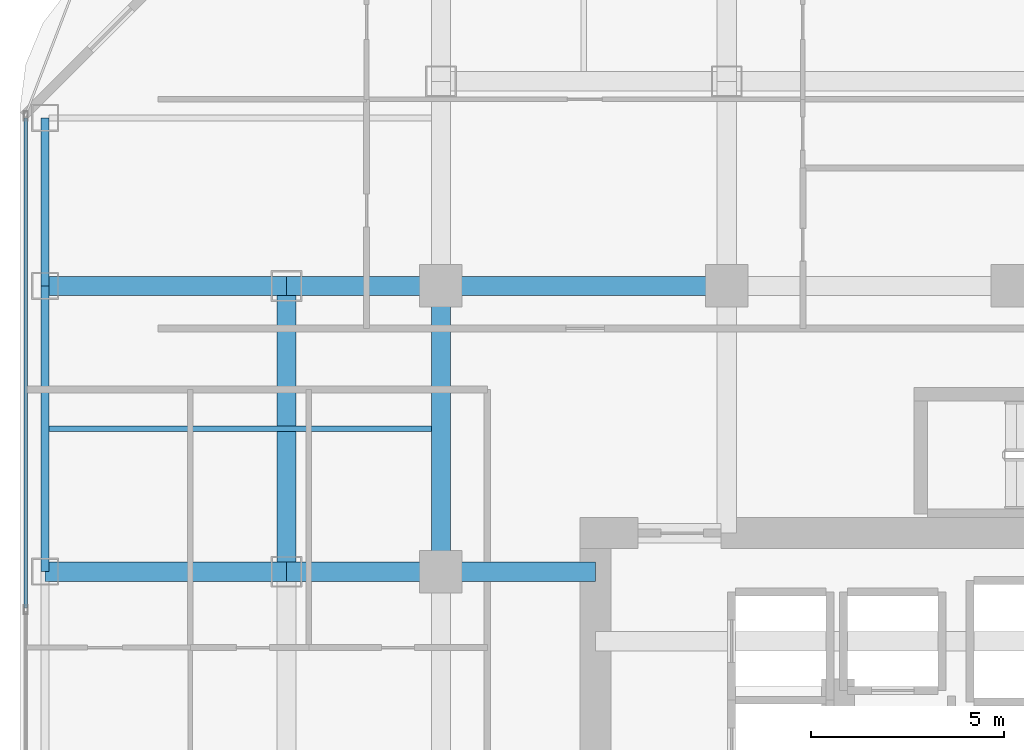
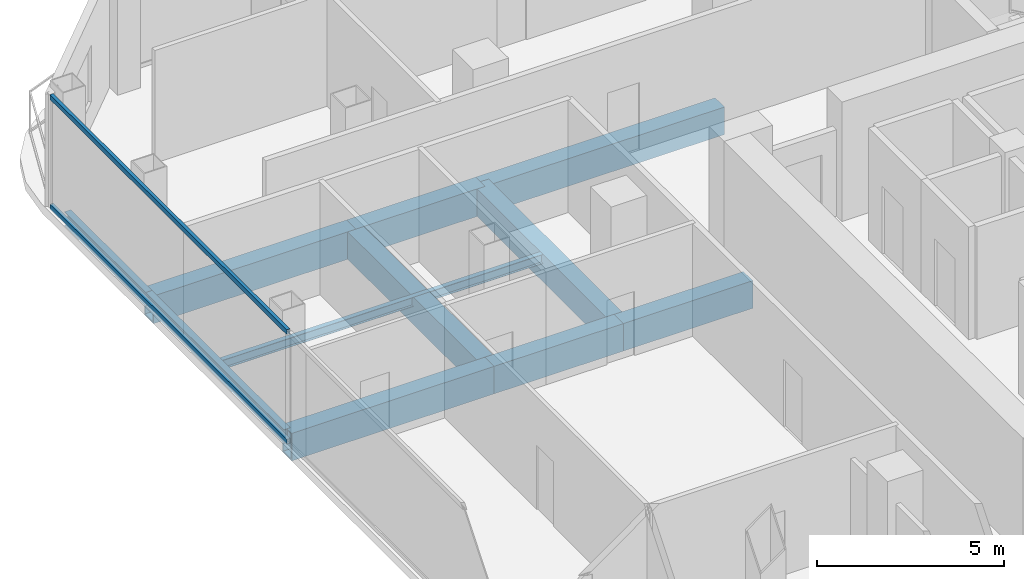
# One storey, part 10 of 27: 11 beams, 2 members, 1 element without a shape of its own.
"""IFC4 building model written with IfcOpenShell, lengths in metres."""

from ifc_helpers import new_model, si_unit, direction, frame, origin, origin_2d, place, context, subcontext, project, spatial, hollow_rectangle, i_section, extrude, material, layer, layer_set, material_profile, profile_set, type_object, element, aggregate, save


model = new_model("IFC4")

# Units and contexts
model_context = context("Model", 3, precision=1e-05, world=origin(), true_north=direction((0.0, 1.0)))
body_context = subcontext(model_context, "Body", "Model", "MODEL_VIEW")
ifc_project = project(units=[si_unit("LENGTHUNIT", "METRE"), si_unit("AREAUNIT", "SQUARE_METRE"), si_unit("VOLUMEUNIT", "CUBIC_METRE"), si_unit("PLANEANGLEUNIT", "RADIAN"), si_unit("MASSUNIT", "GRAM", prefix="KILO")], contexts=[model_context])

# Site, building, storey
site_placement = place(None, origin())
site = spatial("IfcSite", under=ifc_project, at=site_placement, CompositionType="ELEMENT")
building_placement = place(site_placement, origin())
building = spatial("IfcBuilding", under=site, at=building_placement, Name="Khorvyn Point Tower", CompositionType="ELEMENT")
storey_placement = place(building_placement, frame((0.0, 0.0, 168.0)))
storey = spatial("IfcBuildingStorey", under=building, at=storey_placement, Name="L41", CompositionType="ELEMENT", Elevation=168.0)

# Curtain wall, members
ifc_material_1 = material(Name="Anodised aluminium 6063-T6 and laminated Low-E glass", Category="aluminium")
ifc_layer = layer(ifc_material_1, 0.18994140625)
ifc_layer_set = layer_set([ifc_layer], Name="Stick-Built Acoustic Curtain Wall CW-SYS-03")
curtain_wall_type = type_object("IfcCurtainWallType", Name="Stick-Built Acoustic Curtain Wall CW-SYS-03", PredefinedType="NOTDEFINED", material=ifc_layer_set)
curtain_wall_placement = place(storey_placement, origin())
curtain_wall = element("IfcCurtainWall", 1, at=curtain_wall_placement, inside=storey, type_object=curtain_wall_type, Name="Curtain Wall", PredefinedType="NOTDEFINED")
ifc_material_2 = material(Name="Anodised aluminium 6063-T6", Category="aluminium")
ifc_material_profile_1 = material_profile(ifc_material_2, hollow_rectangle(XDim=0.10009765625, YDim=0.159912109375, WallThickness=0.00439453125, at=origin_2d()))
ifc_profile_set_1 = profile_set([ifc_material_profile_1], Name="Anodised aluminium 6063-T6 ALU-TRN-100x160")
member_type = type_object("IfcMemberType", Name="Anodised Aluminium 6063-T6 Transom ALU-TRN-100x160", PredefinedType="USERDEFINED", material=ifc_profile_set_1)
member_1_placement = place(storey_placement, frame((-25.550048828125, 6.466552734375, 0.050048828125), z_axis=(0.0, 1.0, 0.0), x_axis=(-1.0, 0.0, 0.0)))
member_1 = element("IfcMember", 2, at=member_1_placement, type_object=member_type, Name="Transom", ObjectType="TRANSOM", PredefinedType="USERDEFINED", context=body_context, shape_type="SweptSolid", body=[
    extrude(hollow_rectangle(XDim=0.10009765625, YDim=0.159912109375, WallThickness=0.00439453125, at=origin_2d()), origin(), (0.0, 0.0, 1.0), 12.683349609375),
])
member_2_placement = place(storey_placement, frame((-25.550048828125, 6.466552734375, 3.6298828125), z_axis=(0.0, 1.0, 0.0), x_axis=(-1.0, 0.0, 0.0)))
member_2 = element("IfcMember", 3, at=member_2_placement, type_object=member_type, Name="Transom", ObjectType="TRANSOM", PredefinedType="USERDEFINED", context=body_context, shape_type="SweptSolid", body=[
    extrude(hollow_rectangle(XDim=0.10009765625, YDim=0.159912109375, WallThickness=0.00439453125, at=origin_2d()), origin(), (0.0, 0.0, 1.0), 12.683349609375),
])
aggregate(curtain_wall, [member_1, member_2])

# Beams
ifc_material_3 = material(Name="Steel S355", Category="steel")
ifc_material_profile_2 = material_profile(ifc_material_3, i_section(OverallWidth=0.14990234375, OverallDepth=0.300048828125, WebThickness=0.006591796875, FlangeThickness=0.009033203125, at=origin_2d()))
ifc_profile_set_2 = profile_set([ifc_material_profile_2], Name="Steel S355 H300x150x6.5x9")
beam_type_1 = type_object("IfcBeamType", Name="Steel S355 Joist H300x150x6.5x9", PredefinedType="JOIST", material=ifc_profile_set_2)
beam_1_placement = place(storey_placement, frame((-24.949951171875, 11.10009765625, -0.429931640625), z_axis=(1.0, 0.0, 0.0), x_axis=(0.0, 1.0, 0.0)))
element("IfcBeam", 4, at=beam_1_placement, inside=storey, type_object=beam_type_1, Name="Beam", PredefinedType="JOIST", context=body_context, shape_type="SweptSolid", body=[
    extrude(i_section(OverallWidth=0.14990234375, OverallDepth=0.300048828125, WebThickness=0.006591796875, FlangeThickness=0.009033203125, at=origin_2d()), origin(), (0.0, 0.0, 1.0), 9.89990234375),
])
ifc_material_profile_3 = material_profile(ifc_material_3, i_section(OverallWidth=0.199951171875, OverallDepth=0.449951171875, WebThickness=0.009033203125, FlangeThickness=0.013916015625, at=origin_2d()))
ifc_profile_set_3 = profile_set([ifc_material_profile_3], Name="Steel S355 H450x200x9x14")
beam_type_2 = type_object("IfcBeamType", Name="Steel S355 Spandrel H450x200x9x14", PredefinedType="SPANDREL", material=ifc_profile_set_3)
beam_2_placement = place(storey_placement, frame((-25.050048828125, 7.39990234375, -0.5048828125), z_axis=(0.0, 1.0, 0.0), x_axis=(-1.0, 0.0, 0.0)))
element("IfcBeam", 5, at=beam_2_placement, inside=storey, type_object=beam_type_2, Name="Beam", PredefinedType="SPANDREL", context=body_context, shape_type="SweptSolid", body=[
    extrude(i_section(OverallWidth=0.199951171875, OverallDepth=0.449951171875, WebThickness=0.009033203125, FlangeThickness=0.013916015625, at=origin_2d()), origin(), (0.0, 0.0, 1.0), 7.400146484375),
])
beam_3_placement = place(storey_placement, frame((-25.050048828125, 14.800048828125, -0.5048828125), z_axis=(0.0, 1.0, 0.0), x_axis=(-1.0, 0.0, 0.0)))
element("IfcBeam", 6, at=beam_3_placement, inside=storey, type_object=beam_type_2, Name="Beam", PredefinedType="SPANDREL", context=body_context, shape_type="SweptSolid", body=[
    extrude(i_section(OverallWidth=0.199951171875, OverallDepth=0.449951171875, WebThickness=0.009033203125, FlangeThickness=0.013916015625, at=origin_2d()), origin(), (0.0, 0.0, 1.0), 4.349853515625),
])
ifc_material_4 = material(Name="Steel S450", Category="steel")
ifc_material_profile_4 = material_profile(ifc_material_4, hollow_rectangle(XDim=0.5, YDim=0.89990234375, WallThickness=0.0400390625, at=origin_2d()))
ifc_profile_set_4 = profile_set([ifc_material_profile_4], Name="Steel S450 BOX900x500x40")
beam_type_3 = type_object("IfcBeamType", Name="Steel S450 Beam BOX900x500x40", PredefinedType="BEAM", material=ifc_profile_set_4)
beam_4_placement = place(storey_placement, frame((-25.050048828125, 14.800048828125, -0.72998046875), z_axis=(1.0, 0.0, 0.0), x_axis=(0.0, 1.0, 0.0)))
element("IfcBeam", 7, at=beam_4_placement, inside=storey, type_object=beam_type_3, Name="L41 Radial Transfer Girder", PredefinedType="BEAM", context=body_context, shape_type="SweptSolid", body=[
    extrude(hollow_rectangle(XDim=0.5, YDim=0.89990234375, WallThickness=0.0400390625, at=origin_2d()), origin(), (0.0, 0.0, 1.0), 6.25),
])
beam_5_placement = place(storey_placement, frame((-18.800048828125, 14.800048828125, -0.72998046875), z_axis=(1.0, 0.0, 0.0), x_axis=(0.0, 1.0, 0.0)))
element("IfcBeam", 8, at=beam_5_placement, inside=storey, type_object=beam_type_3, Name="L41 Radial Transfer Girder", PredefinedType="BEAM", context=body_context, shape_type="SweptSolid", body=[
    extrude(hollow_rectangle(XDim=0.5, YDim=0.89990234375, WallThickness=0.0400390625, at=origin_2d()), origin(), (0.0, 0.0, 1.0), 4.0),
])
beam_6_placement = place(storey_placement, frame((-14.800048828125, 14.800048828125, -0.72998046875), z_axis=(1.0, 0.0, 0.0), x_axis=(0.0, 1.0, 0.0)))
element("IfcBeam", 9, at=beam_6_placement, inside=storey, type_object=beam_type_3, Name="L41 Radial Transfer Girder", PredefinedType="BEAM", context=body_context, shape_type="SweptSolid", body=[
    extrude(hollow_rectangle(XDim=0.5, YDim=0.89990234375, WallThickness=0.0400390625, at=origin_2d()), origin(), (0.0, 0.0, 1.0), 7.400146484375),
])
beam_7_placement = place(storey_placement, frame((-25.050048828125, 7.39990234375, -0.72998046875), z_axis=(1.0, 0.0, 0.0), x_axis=(0.0, 1.0, 0.0)))
element("IfcBeam", 10, at=beam_7_placement, inside=storey, type_object=beam_type_3, Name="Beam", PredefinedType="BEAM", context=body_context, shape_type="SweptSolid", body=[
    extrude(hollow_rectangle(XDim=0.5, YDim=0.89990234375, WallThickness=0.0400390625, at=origin_2d()), origin(), (0.0, 0.0, 1.0), 6.25),
])
for number, where, z_axis, x_axis, name in (
    (11, (-18.800048828125, 7.39990234375, -0.72998046875), (1.0, 0.0, 0.0), (0.0, 1.0, 0.0), "Beam"),
    (12, (-14.800048828125, 7.39990234375, -0.72998046875), (1.0, 0.0, 0.0), (0.0, 1.0, 0.0), "Beam"),
):
    element("IfcBeam", number, at=place(storey_placement, frame(where, z_axis=z_axis, x_axis=x_axis)), inside=storey, type_object=beam_type_3, Name=name, PredefinedType="BEAM", context=body_context, shape_type="SweptSolid", body=[
        extrude(hollow_rectangle(XDim=0.5, YDim=0.89990234375, WallThickness=0.0400390625, at=origin_2d()), origin(), (0.0, 0.0, 1.0), 4.0),
    ])
for number, where, z_axis, x_axis, name in (
    (13, (-14.800048828125, 7.39990234375, -0.72998046875), (0.0, 1.0, 0.0), (-1.0, 0.0, 0.0), "L41 Radial Transfer Girder"),
    (14, (-18.800048828125, 7.39990234375, -0.72998046875), (0.0, 1.0, 0.0), (-1.0, 0.0, 0.0), "Beam"),
):
    element("IfcBeam", number, at=place(storey_placement, frame(where, z_axis=z_axis, x_axis=x_axis)), inside=storey, type_object=beam_type_3, Name=name, PredefinedType="BEAM", context=body_context, shape_type="SweptSolid", body=[
        extrude(hollow_rectangle(XDim=0.5, YDim=0.89990234375, WallThickness=0.0400390625, at=origin_2d()), origin(), (0.0, 0.0, 1.0), 7.400146484375),
    ])

save(model, "model.ifc")
